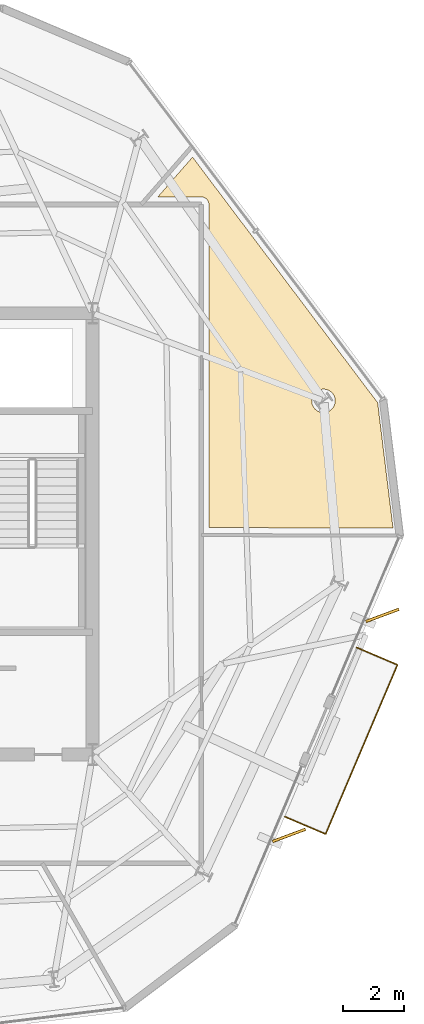
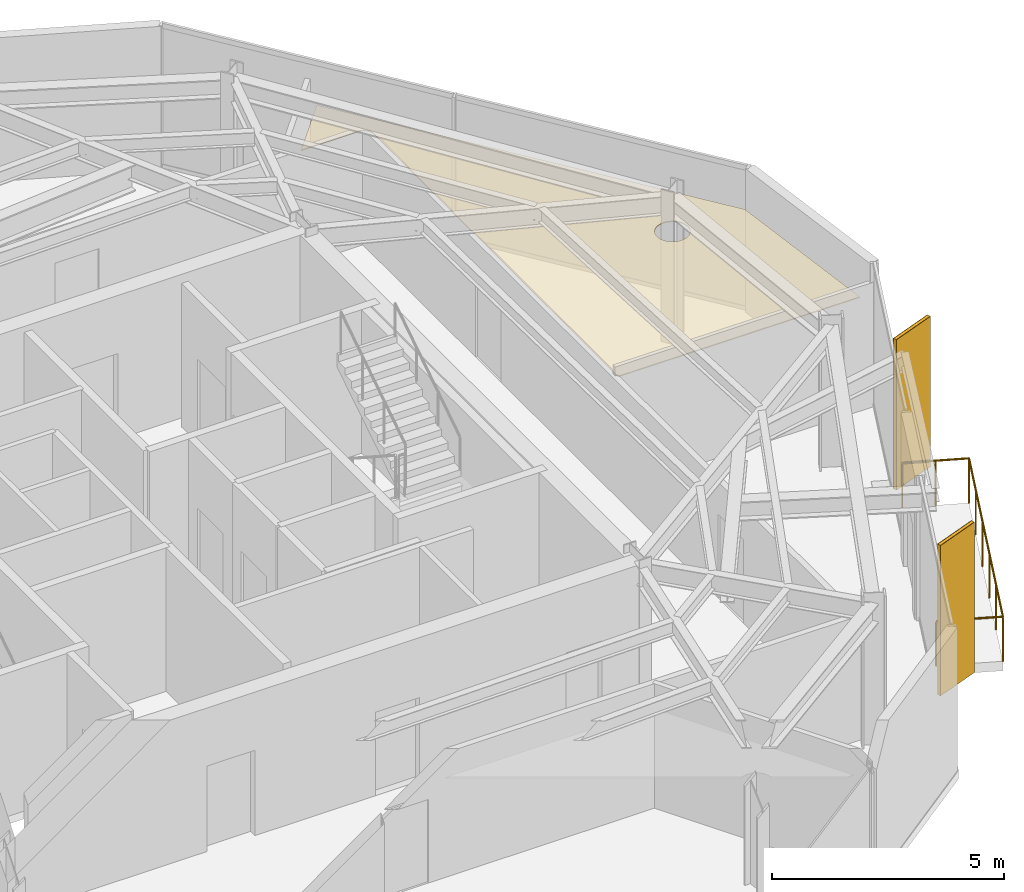
# One storey, part 11 of 11: 3 coverings, 2 shading devices, 1 railing.
"""IFC4 building model written with IfcOpenShell, lengths in metres."""

from ifc_helpers import new_model, si_unit, direction, frame, origin, origin_2d, place, context, subcontext, project, spatial, polyline, rectangle, circle, outline, extrude, material, layer, layer_set, type_object, element, save


model = new_model("IFC4")

# Units and contexts
model_context = context("Model", 3, precision=1e-05, world=origin(), true_north=direction((0.0, 1.0)))
body_context = subcontext(model_context, "Body", "Model", "MODEL_VIEW")
ifc_project = project(units=[si_unit("LENGTHUNIT", "METRE"), si_unit("AREAUNIT", "SQUARE_METRE"), si_unit("VOLUMEUNIT", "CUBIC_METRE"), si_unit("PLANEANGLEUNIT", "RADIAN"), si_unit("MASSUNIT", "GRAM", prefix="KILO")], contexts=[model_context])

# Site, building, storey
site_placement = place(None, origin())
site = spatial("IfcSite", under=ifc_project, at=site_placement, CompositionType="ELEMENT")
building_placement = place(site_placement, origin())
building = spatial("IfcBuilding", under=site, at=building_placement, Name="Kranzbogen Civic Tower", CompositionType="ELEMENT")
storey_placement = place(building_placement, frame((0.0, 0.0, 294.199951171875)))
storey = spatial("IfcBuildingStorey", under=building, at=storey_placement, Name="L71", CompositionType="ELEMENT", Elevation=294.199951171875)

# Coverings
ifc_material_1 = material(Name="Pale Anodised Aluminium", Category="aluminium")
ifc_layer_1 = layer(ifc_material_1, 0.02490234375, Name="Pale Anodised Aluminium")
ifc_layer_set_1 = layer_set([ifc_layer_1], Name="Pale Anodised Aluminium")
covering_type_1 = type_object("IfcCoveringType", Name="Anodised Aluminium Vertical Fin Cladding 25 mm", PredefinedType="CLADDING", material=ifc_layer_set_1)
for number, where, z_axis, x_axis, name in (
    (1, (39.2109375, 15.159912109375, -0.139892578125), (0.0, 0.0, 1.0), (0.937300239397, 0.348522970874, 0.0), "L71 vertical fin pale-metal cladding F5-1"),
    (2, (42.259033203125, 22.340087890625, -0.139892578125), (0.0, 0.0, 1.0), (0.937300239397, 0.348522970874, 0.0), "L71 vertical fin pale-metal cladding F5-4"),
):
    element("IfcCovering", number, at=place(storey_placement, frame(where, z_axis=z_axis, x_axis=x_axis)), inside=storey, type_object=covering_type_1, Name=name, PredefinedType="CLADDING", context=body_context, shape_type="SweptSolid", body=[
        extrude(rectangle(XDim=1.14990234375, YDim=0.094970703125, at=origin_2d()), origin(), (0.0, 0.0, 1.0), 3.9599609375),
    ])

# Railing
ifc_material_2 = material(Name="Anodised Bronze Aluminium", Category="aluminium")
railing_type = type_object("IfcRailingType", Name="Cantilevered Balcony Glass and Bronze Balustrade 1200", PredefinedType="BALUSTRADE", material=ifc_material_2)
railing_placement = place(storey_placement, frame((39.070068359375, 15.76904296875, 0.0)))
element("IfcRailing", 3, at=railing_placement, inside=storey, type_object=railing_type, Name="L71 exterior terrace balustrade L71-TB2", PredefinedType="BALUSTRADE", context=body_context, shape_type="SweptSolid", body=[
    extrude(circle(Radius=0.02392578125, at=origin_2d()), frame((0.0, 0.0, 1.17578125), z_axis=(0.920385442678, -0.391012323215, 0.0), x_axis=(0.391012323215, 0.920385442678, 0.0)), (0.0, 0.0, 1.0), 1.450439453125),
    extrude(circle(Radius=0.02392578125, at=origin_2d()), frame((1.3349609375, -0.567138671875, 1.17578125), z_axis=(0.390665834345, 0.920532566439, 0.0), x_axis=(-0.920532566439, 0.390665834345, 0.0)), (0.0, 0.0, 1.0), 6.0),
    extrude(circle(Radius=0.02392578125, at=origin_2d()), frame((3.678955078125, 4.9560546875, 1.17578125), z_axis=(-0.920446011734, 0.390869721881, 0.0), x_axis=(-0.390869721881, -0.920446011734, 0.0)), (0.0, 0.0, 1.0), 1.450439453125),
    extrude(circle(Radius=0.02099609375, at=origin_2d()), origin(), (0.0, 0.0, 1.0), 1.15185546875),
    extrude(circle(Radius=0.02099609375, at=origin_2d()), frame((0.66748046875, -0.28369140625, 0.0)), (0.0, 0.0, 1.0), 1.15185546875),
    extrude(circle(Radius=0.02099609375, at=origin_2d()), frame((1.3349609375, -0.567138671875, 0.0)), (0.0, 0.0, 1.0), 1.15185546875),
    extrude(circle(Radius=0.02099609375, at=origin_2d()), frame((1.8037109375, 0.53759765625, 0.0)), (0.0, 0.0, 1.0), 1.15185546875),
    extrude(circle(Radius=0.02099609375, at=origin_2d()), frame((2.2724609375, 1.64208984375, 0.0)), (0.0, 0.0, 1.0), 1.15185546875),
    extrude(circle(Radius=0.02099609375, at=origin_2d()), frame((2.741455078125, 2.746826171875, 0.0)), (0.0, 0.0, 1.0), 1.15185546875),
    extrude(circle(Radius=0.02099609375, at=origin_2d()), frame((3.210205078125, 3.851318359375, 0.0)), (0.0, 0.0, 1.0), 1.15185546875),
    extrude(circle(Radius=0.02099609375, at=origin_2d()), frame((3.678955078125, 4.9560546875, 0.0)), (0.0, 0.0, 1.0), 1.15185546875),
    extrude(circle(Radius=0.02099609375, at=origin_2d()), frame((3.011474609375, 5.239501953125, 0.0)), (0.0, 0.0, 1.0), 1.15185546875),
    extrude(circle(Radius=0.02099609375, at=origin_2d()), frame((2.343994140625, 5.52294921875, 0.0)), (0.0, 0.0, 1.0), 1.15185546875),
])

# Shading devices
shading_device_type = type_object("IfcShadingDeviceType", Name="Pale Anodised Aluminium Crown Fin 1150x75", PredefinedType="USERDEFINED", material=ifc_material_1)
for number, where, z_axis, x_axis, name in (
    (4, (39.2109375, 15.159912109375, -0.139892578125), (0.0, 0.0, 1.0), (0.937300239397, 0.348522970874, 0.0), "L71 vertical exterior shading fin F5-1"),
    (5, (42.259033203125, 22.340087890625, -0.139892578125), (0.0, 0.0, 1.0), (0.937300239397, 0.348522970874, 0.0), "L71 vertical exterior shading fin F5-4"),
):
    element("IfcShadingDevice", number, at=place(storey_placement, frame(where, z_axis=z_axis, x_axis=x_axis)), inside=storey, type_object=shading_device_type, Name=name, ObjectType="FIN", PredefinedType="USERDEFINED", context=body_context, shape_type="SweptSolid", body=[
        extrude(rectangle(XDim=1.14990234375, YDim=0.074951171875, at=origin_2d()), origin(), (0.0, 0.0, 1.0), 3.9599609375),
    ])

# Covering
ifc_material_3 = material(Name="Perforated Acoustic Gypsum Ceiling")
ifc_layer_2 = layer(ifc_material_3, 0.02490234375, Name="Perforated Acoustic Gypsum Ceiling")
ifc_layer_set_2 = layer_set([ifc_layer_2], Name="Perforated Acoustic Gypsum Ceiling")
covering_type_2 = type_object("IfcCoveringType", Name="Perforated Acoustic Mineral Ceiling Tile 25 mm", PredefinedType="CEILING", material=ifc_layer_set_2)
covering_placement = place(storey_placement, frame((0.0, 0.0, 2.75)))
element("IfcCovering", 6, at=covering_placement, inside=storey, type_object=covering_type_2, Name="L71 Operations Security Control Room acoustic ceiling", PredefinedType="CEILING", context=body_context, shape_type="SweptSolid", body=[
    extrude(outline(polyline([(42.60400390625, 25.18505859375), (36.594970703125, 25.2060546875), (36.594970703125, 35.75), (36.594970703125, 35.759033203125), (36.593994140625, 35.764892578125), (36.593017578125, 35.782958984375), (36.592041015625, 35.7890625), (36.587890625, 35.805908203125), (36.5869140625, 35.81298828125), (36.58203125, 35.830078125), (36.580078125, 35.8359375), (36.572998046875, 35.85205078125), (36.570068359375, 35.85791015625), (36.56201171875, 35.873046875), (36.55810546875, 35.87890625), (36.549072265625, 35.89306640625), (36.544921875, 35.89794921875), (36.533935546875, 35.912109375), (36.529052734375, 35.9169921875), (36.51708984375, 35.928955078125), (36.511962890625, 35.93408203125), (36.498046875, 35.945068359375), (36.492919921875, 35.948974609375), (36.47900390625, 35.9580078125), (36.472900390625, 35.9619140625), (36.4580078125, 35.969970703125), (36.451904296875, 35.972900390625), (36.43603515625, 35.97998046875), (36.429931640625, 35.98193359375), (36.4130859375, 35.987060546875), (36.406005859375, 35.988037109375), (36.388916015625, 35.991943359375), (36.383056640625, 35.992919921875), (36.364990234375, 35.993896484375), (36.35888671875, 35.9951171875), (36.35009765625, 35.9951171875), (34.926025390625, 35.9951171875), (36.06103515625, 37.294921875), (42.10205078125, 29.279052734375), (42.60400390625, 25.18505859375)]), holes=[polyline([(40.68798828125, 29.19189453125), (40.672119140625, 29.157958984375), (40.653076171875, 29.1259765625), (40.6298828125, 29.095947265625), (40.60498046875, 29.068115234375), (40.576904296875, 29.04296875), (40.547119140625, 29.02001953125), (40.514892578125, 29.0009765625), (40.48095703125, 28.985107421875), (40.445068359375, 28.971923828125), (40.408935546875, 28.962890625), (40.3720703125, 28.95703125), (40.333984375, 28.9560546875), (40.2958984375, 28.95703125), (40.259033203125, 28.962890625), (40.222900390625, 28.971923828125), (40.18701171875, 28.985107421875), (40.153076171875, 29.0009765625), (40.12109375, 29.02001953125), (40.091064453125, 29.04296875), (40.06298828125, 29.068115234375), (40.0380859375, 29.095947265625), (40.014892578125, 29.1259765625), (39.99609375, 29.157958984375), (39.97998046875, 29.19189453125), (39.967041015625, 29.22802734375), (39.9580078125, 29.263916015625), (39.951904296875, 29.301025390625), (39.950927734375, 29.339111328125), (39.951904296875, 29.376953125), (39.9580078125, 29.4140625), (39.967041015625, 29.449951171875), (39.97998046875, 29.486083984375), (39.99609375, 29.52001953125), (40.014892578125, 29.552001953125), (40.0380859375, 29.58203125), (40.06298828125, 29.610107421875), (40.091064453125, 29.635009765625), (40.12109375, 29.657958984375), (40.153076171875, 29.677001953125), (40.18701171875, 29.693115234375), (40.222900390625, 29.7060546875), (40.259033203125, 29.715087890625), (40.2958984375, 29.720947265625), (40.333984375, 29.721923828125), (40.3720703125, 29.720947265625), (40.408935546875, 29.715087890625), (40.445068359375, 29.7060546875), (40.48095703125, 29.693115234375), (40.514892578125, 29.677001953125), (40.547119140625, 29.657958984375), (40.576904296875, 29.635009765625), (40.60498046875, 29.610107421875), (40.6298828125, 29.58203125), (40.653076171875, 29.552001953125), (40.672119140625, 29.52001953125), (40.68798828125, 29.486083984375), (40.700927734375, 29.449951171875), (40.7099609375, 29.4140625), (40.716064453125, 29.376953125), (40.717041015625, 29.339111328125), (40.716064453125, 29.301025390625), (40.7099609375, 29.263916015625), (40.700927734375, 29.22802734375), (40.68798828125, 29.19189453125)])]), origin(), (0.0, 0.0, 1.0), 0.025146484375),
])

save(model, "model.ifc")
